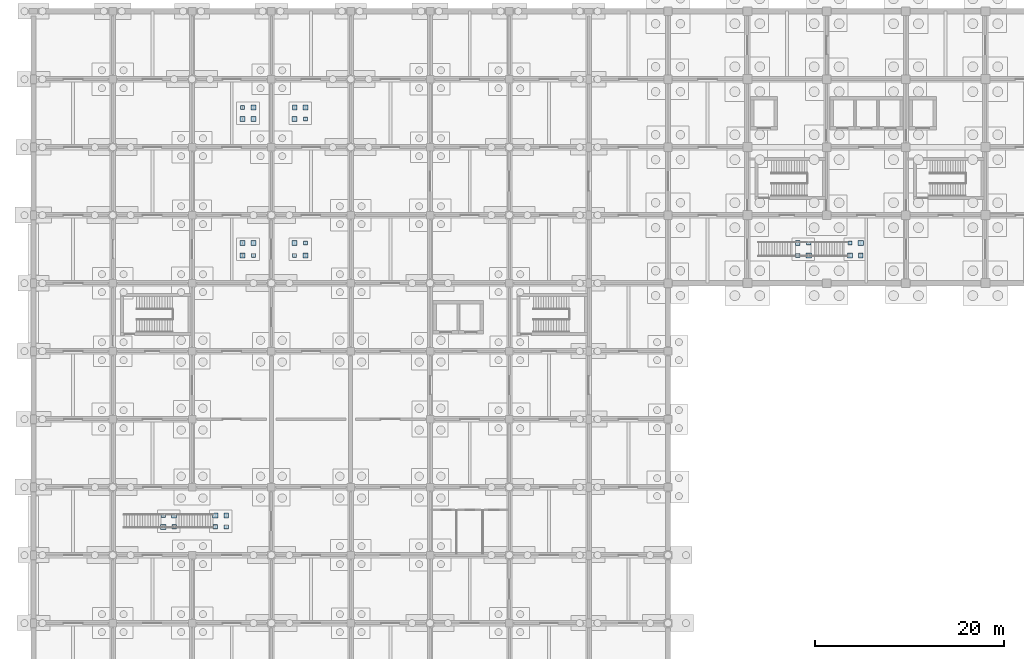
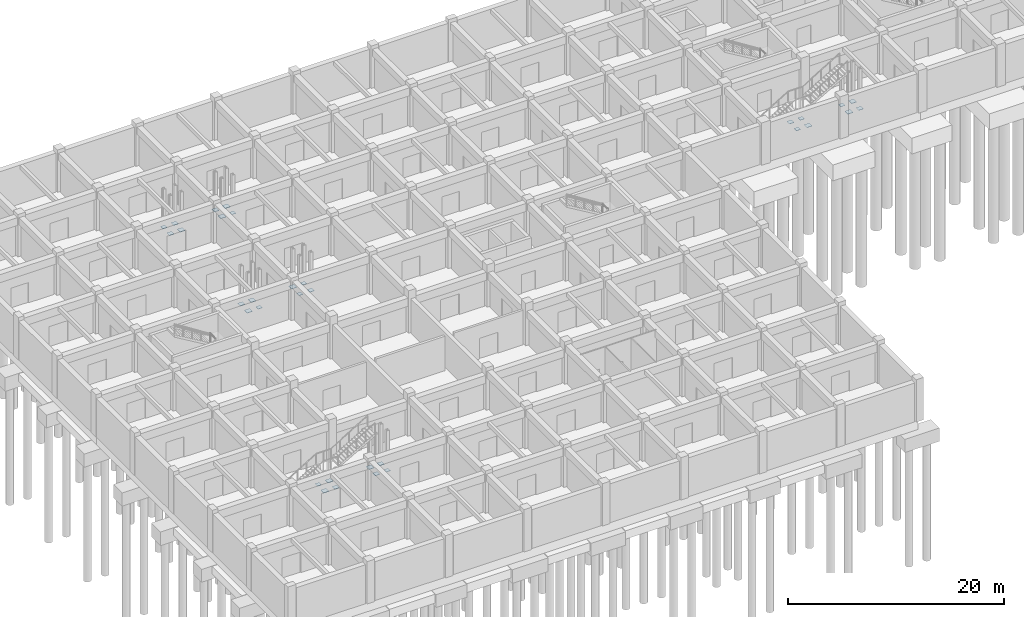
# One storey, part 21 of 38: 32 plates.
"""IFC4 building model written with IfcOpenShell, lengths in metres."""

from ifc_helpers import new_model, si_unit, derived_unit, direction, frame, origin, origin_2d, place, context, subcontext, project, spatial, rectangle, extrude, material, layer, layer_set, type_object, element, save


model = new_model("IFC4")

# Units and contexts
model_context = context("Model", 3, precision=1e-05, world=origin(), true_north=direction((0.0, 1.0)))
body_context = subcontext(model_context, "Body", "Model", "MODEL_VIEW")
ifc_project = project(units=[si_unit("LENGTHUNIT", "METRE"), si_unit("AREAUNIT", "SQUARE_METRE"), si_unit("VOLUMEUNIT", "CUBIC_METRE"), si_unit("PLANEANGLEUNIT", "RADIAN"), si_unit("MASSUNIT", "GRAM", prefix="KILO"), derived_unit("THERMALTRANSMITTANCEUNIT", [(si_unit("MASSUNIT", "GRAM", prefix="KILO"), 1), (si_unit("TIMEUNIT", "SECOND"), -3), (si_unit("THERMODYNAMICTEMPERATUREUNIT", "KELVIN"), -1)])], contexts=[model_context])

# Site, building, storey
site_placement = place(None, origin())
site = spatial("IfcSite", under=ifc_project, at=site_placement, CompositionType="ELEMENT")
building_placement = place(site_placement, origin())
building = spatial("IfcBuilding", under=site, at=building_placement, Name="Veldstrom Oceanarium and Marine Research Institute", CompositionType="ELEMENT")
storey_placement = place(building_placement, frame((0.0, 0.0, -9.60009765625)))
storey = spatial("IfcBuildingStorey", under=building, at=storey_placement, Name="B02", CompositionType="ELEMENT", Elevation=-9.60009765625)

# Plates
ifc_material_1 = material(Name="Steel S355JR", Category="steel")
ifc_layer_1 = layer(ifc_material_1, 0.034912109375)
ifc_layer_set_1 = layer_set([ifc_layer_1], Name="STR-PLT-BP2")
plate_type_1 = type_object("IfcPlateType", Name="STR-PLT-BP2", PredefinedType="SHEET", material=ifc_layer_set_1)
for number, where, z_axis, x_axis, name in (
    (1, (13.739990234375, 17.39501953125, 0.0), (0.0, 0.0, 1.0), (1.0, 0.0, 0.0), "Steel Column Base Plate BP02-015"),
    (2, (14.89990234375, 18.60498046875, 0.0), (0.0, 0.0, 1.0), (1.0, 0.0, 0.0), "Steel Column Base Plate BP02-018"),
    (3, (19.260009765625, 18.60498046875, 0.0), (0.0, 0.0, 1.0), (1.0, 0.0, 0.0), "Steel Column Base Plate BP02-021"),
    (4, (82.10009765625, 46.14501953125, 0.0), (0.0, 0.0, 1.0), (1.0, 0.0, 0.0), "Steel Column Base Plate BP02-024"),
    (5, (86.4599609375, 46.14501953125, 0.0), (0.0, 0.0, 1.0), (1.0, 0.0, 0.0), "Steel Column Base Plate BP02-027"),
    (6, (87.6201171875, 47.455078125, 0.0), (0.0, 0.0, 1.0), (1.0, 0.0, 0.0), "Steel Column Base Plate BP02-030"),
    (7, (22.139892578125, 46.14501953125, 0.0), (0.0, 0.0, 1.0), (1.0, 0.0, 0.0), "Steel Column Base Plate BP02-039"),
    (8, (23.300048828125, 47.455078125, 0.0), (0.0, 0.0, 1.0), (1.0, 0.0, 0.0), "Steel Column Base Plate BP02-045"),
    (9, (27.659912109375, 47.455078125, 0.0), (0.0, 0.0, 1.0), (1.0, 0.0, 0.0), "Steel Column Base Plate BP02-051"),
    (10, (23.300048828125, 60.594970703125, 0.0), (0.0, 0.0, 1.0), (1.0, 0.0, 0.0), "Steel Column Base Plate BP02-057"),
    (11, (27.659912109375, 60.594970703125, 0.0), (0.0, 0.0, 1.0), (1.0, 0.0, 0.0), "Steel Column Base Plate BP02-063"),
    (12, (28.820068359375, 61.804931640625, 0.0), (0.0, 0.0, 1.0), (1.0, 0.0, 0.0), "Steel Column Base Plate BP02-069"),
):
    element("IfcPlate", number, at=place(storey_placement, frame(where, z_axis=z_axis, x_axis=x_axis)), inside=storey, type_object=plate_type_1, Name=name, PredefinedType="SHEET", context=body_context, shape_type="SweptSolid", body=[
        extrude(rectangle(XDim=0.550048828125, YDim=0.550048828125, at=origin_2d()), origin(), (0.0, 0.0, 1.0), 0.034912109375),
    ])
ifc_material_2 = material(Name="Steel S355JR", Category="steel")
ifc_layer_2 = layer(ifc_material_2, 0.031982421875)
ifc_layer_set_2 = layer_set([ifc_layer_2], Name="STR-PLT-BP3")
plate_type_2 = type_object("IfcPlateType", Name="STR-PLT-BP3", PredefinedType="SHEET", material=ifc_layer_set_2)
for number, where, z_axis, x_axis, name in (
    (13, (14.89990234375, 17.39501953125, 0.0), (0.0, 0.0, 1.0), (1.0, 0.0, 0.0), "Steel Column Base Plate BP03-016"),
    (14, (19.260009765625, 17.39501953125, 0.0), (0.0, 0.0, 1.0), (1.0, 0.0, 0.0), "Steel Column Base Plate BP03-019"),
    (15, (20.419921875, 18.60498046875, 0.0), (0.0, 0.0, 1.0), (1.0, 0.0, 0.0), "Steel Column Base Plate BP03-022"),
    (16, (80.93994140625, 47.455078125, 0.0), (0.0, 0.0, 1.0), (1.0, 0.0, 0.0), "Steel Column Base Plate BP03-025"),
    (17, (87.6201171875, 46.14501953125, 0.0), (0.0, 0.0, 1.0), (1.0, 0.0, 0.0), "Steel Column Base Plate BP03-028"),
    (18, (22.139892578125, 47.455078125, 0.0), (0.0, 0.0, 1.0), (1.0, 0.0, 0.0), "Steel Column Base Plate BP03-043"),
    (19, (28.820068359375, 46.14501953125, 0.0), (0.0, 0.0, 1.0), (1.0, 0.0, 0.0), "Steel Column Base Plate BP03-049"),
    (20, (22.139892578125, 60.594970703125, 0.0), (0.0, 0.0, 1.0), (1.0, 0.0, 0.0), "Steel Column Base Plate BP03-055"),
    (21, (23.300048828125, 61.804931640625, 0.0), (0.0, 0.0, 1.0), (1.0, 0.0, 0.0), "Steel Column Base Plate BP03-061"),
    (22, (27.659912109375, 61.804931640625, 0.0), (0.0, 0.0, 1.0), (1.0, 0.0, 0.0), "Steel Column Base Plate BP03-067"),
):
    element("IfcPlate", number, at=place(storey_placement, frame(where, z_axis=z_axis, x_axis=x_axis)), inside=storey, type_object=plate_type_2, Name=name, PredefinedType="SHEET", context=body_context, shape_type="SweptSolid", body=[
        extrude(rectangle(XDim=0.5, YDim=0.5, at=origin_2d()), origin(), (0.0, 0.0, 1.0), 0.031982421875),
    ])
ifc_material_3 = material(Name="Steel S355JR", Category="steel")
ifc_layer_3 = layer(ifc_material_3, 0.030029296875)
ifc_layer_set_3 = layer_set([ifc_layer_3], Name="STR-PLT-BP4")
plate_type_3 = type_object("IfcPlateType", Name="STR-PLT-BP4", PredefinedType="SHEET", material=ifc_layer_set_3)
for number, where, z_axis, x_axis, name in (
    (23, (13.739990234375, 18.60498046875, 0.0), (0.0, 0.0, 1.0), (1.0, 0.0, 0.0), "Steel Column Base Plate BP04-017"),
    (24, (20.419921875, 17.39501953125, 0.0), (0.0, 0.0, 1.0), (1.0, 0.0, 0.0), "Steel Column Base Plate BP04-020"),
    (25, (80.93994140625, 46.14501953125, 0.0), (0.0, 0.0, 1.0), (1.0, 0.0, 0.0), "Steel Column Base Plate BP04-023"),
    (26, (82.10009765625, 47.455078125, 0.0), (0.0, 0.0, 1.0), (1.0, 0.0, 0.0), "Steel Column Base Plate BP04-026"),
    (27, (86.4599609375, 47.455078125, 0.0), (0.0, 0.0, 1.0), (1.0, 0.0, 0.0), "Steel Column Base Plate BP04-029"),
    (28, (23.300048828125, 46.14501953125, 0.0), (0.0, 0.0, 1.0), (1.0, 0.0, 0.0), "Steel Column Base Plate BP04-041"),
    (29, (27.659912109375, 46.14501953125, 0.0), (0.0, 0.0, 1.0), (1.0, 0.0, 0.0), "Steel Column Base Plate BP04-047"),
    (30, (28.820068359375, 47.455078125, 0.0), (0.0, 0.0, 1.0), (1.0, 0.0, 0.0), "Steel Column Base Plate BP04-053"),
    (31, (22.139892578125, 61.804931640625, 0.0), (0.0, 0.0, 1.0), (1.0, 0.0, 0.0), "Steel Column Base Plate BP04-059"),
    (32, (28.820068359375, 60.594970703125, 0.0), (0.0, 0.0, 1.0), (1.0, 0.0, 0.0), "Steel Column Base Plate BP04-065"),
):
    element("IfcPlate", number, at=place(storey_placement, frame(where, z_axis=z_axis, x_axis=x_axis)), inside=storey, type_object=plate_type_3, Name=name, PredefinedType="SHEET", context=body_context, shape_type="SweptSolid", body=[
        extrude(rectangle(XDim=0.449951171875, YDim=0.449951171875, at=origin_2d()), origin(), (0.0, 0.0, 1.0), 0.030029296875),
    ])

save(model, "model.ifc")
